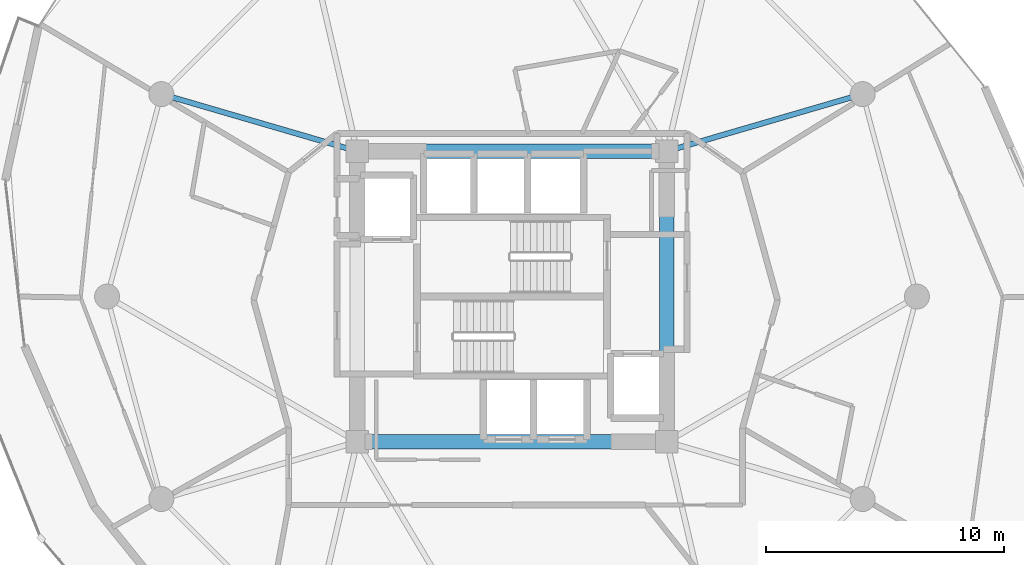
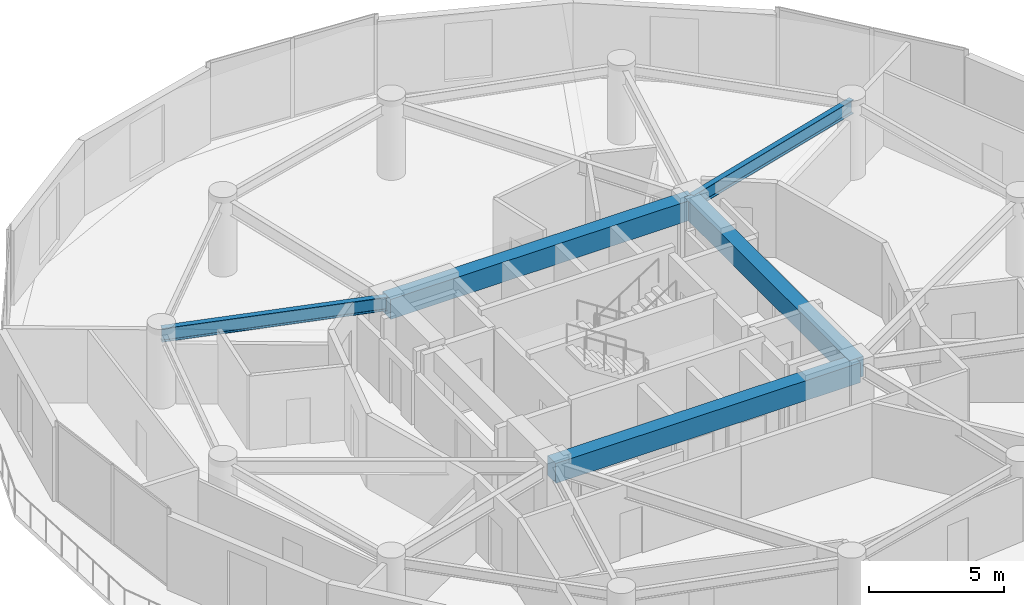
# One storey, part 8 of 21: 5 beams.
"""IFC4 building model written with IfcOpenShell, lengths in metres."""

from ifc_helpers import new_model, si_unit, direction, frame, origin, origin_2d, place, context, subcontext, project, spatial, rectangle, i_section, extrude, material, material_profile, profile_set, type_object, element, save


model = new_model("IFC4")

# Units and contexts
model_context = context("Model", 3, precision=1e-05, world=origin(), true_north=direction((0.0, 1.0)))
body_context = subcontext(model_context, "Body", "Model", "MODEL_VIEW")
ifc_project = project(units=[si_unit("LENGTHUNIT", "METRE"), si_unit("AREAUNIT", "SQUARE_METRE"), si_unit("VOLUMEUNIT", "CUBIC_METRE"), si_unit("PLANEANGLEUNIT", "RADIAN"), si_unit("MASSUNIT", "GRAM", prefix="KILO")], contexts=[model_context])

# Site, building, storey
site_placement = place(None, origin())
site = spatial("IfcSite", under=ifc_project, at=site_placement, CompositionType="ELEMENT")
building_placement = place(site_placement, origin())
building = spatial("IfcBuilding", under=site, at=building_placement, Name="Solvirekh Grand Hotel", CompositionType="ELEMENT")
storey_placement = place(building_placement, frame((0.0, 0.0, 142.199951171875)))
storey = spatial("IfcBuildingStorey", under=building, at=storey_placement, Name="L36", CompositionType="ELEMENT", Elevation=142.199951171875)

# Beams
ifc_material_1 = material(Name="Concrete C50/60", Category="concrete")
ifc_material_profile_1 = material_profile(ifc_material_1, rectangle(XDim=0.60009765625, YDim=0.89990234375, at=origin_2d()), Name="RC BEAM 600X900")
ifc_profile_set_1 = profile_set([ifc_material_profile_1], Name="Concrete C50/60")
beam_type_1 = type_object("IfcBeamType", Name="Beam_Core_RC900", PredefinedType="BEAM", material=ifc_profile_set_1)
beam_1_placement = place(storey_placement, frame((-6.5, -6.10009765625, 2.900146484375), z_axis=(1.0, 0.0, 0.0), x_axis=(0.0, 1.0, 0.0)))
element("IfcBeam", 1, at=beam_1_placement, inside=storey, type_object=beam_type_1, Name="L36 core coupling ring beam 1", PredefinedType="BEAM", context=body_context, shape_type="SweptSolid", body=[
    extrude(rectangle(XDim=0.60009765625, YDim=0.89990234375, at=origin_2d()), origin(), (0.0, 0.0, 1.0), 13.0),
])
beam_2_placement = place(storey_placement, frame((6.5, -6.10009765625, 2.900146484375), z_axis=(0.0, 1.0, 0.0), x_axis=(-1.0, 0.0, 0.0)))
element("IfcBeam", 2, at=beam_2_placement, inside=storey, type_object=beam_type_1, Name="L36 core coupling ring beam 2", PredefinedType="BEAM", context=body_context, shape_type="SweptSolid", body=[
    extrude(rectangle(XDim=0.60009765625, YDim=0.89990234375, at=origin_2d()), origin(), (0.0, 0.0, 1.0), 12.2001953125),
])
beam_3_placement = place(storey_placement, frame((6.5, 6.10009765625, 2.900146484375), z_axis=(-1.0, 0.0, 0.0), x_axis=(0.0, -1.0, 0.0)))
element("IfcBeam", 3, at=beam_3_placement, inside=storey, type_object=beam_type_1, Name="L36 core coupling ring beam 3", PredefinedType="BEAM", context=body_context, shape_type="SweptSolid", body=[
    extrude(rectangle(XDim=0.60009765625, YDim=0.89990234375, at=origin_2d()), origin(), (0.0, 0.0, 1.0), 13.0),
])
ifc_material_2 = material(Name="Steel S355", Category="steel")
ifc_material_profile_2 = material_profile(ifc_material_2, i_section(OverallWidth=0.22802734375, OverallDepth=0.616943359375, WebThickness=0.012939453125, FlangeThickness=0.02001953125, FilletRadius=0.014892578125, at=origin_2d()), Name="W610X140")
ifc_profile_set_2 = profile_set([ifc_material_profile_2], Name="Steel S355")
beam_type_2 = type_object("IfcBeamType", Name="Beam_Radial_W610", PredefinedType="BEAM", material=ifc_profile_set_2)
for number, where, z_axis, x_axis, name in (
    (4, (6.5, 6.10009765625, 3.0419921875), (0.959942195467, 0.28019811092, 0.0), (-0.28019811092, 0.959942195467, 0.0), "L36 radial floor beam R02"),
    (5, (-6.5, 6.10009765625, 3.0419921875), (-0.959942195467, 0.28019811092, 0.0), (-0.28019811092, -0.959942195467, 0.0), "L36 radial floor beam R06"),
):
    element("IfcBeam", number, at=place(storey_placement, frame(where, z_axis=z_axis, x_axis=x_axis)), inside=storey, type_object=beam_type_2, Name=name, PredefinedType="BEAM", context=body_context, shape_type="SweptSolid", body=[
        extrude(i_section(OverallWidth=0.22802734375, OverallDepth=0.616943359375, WebThickness=0.012939453125, FlangeThickness=0.02001953125, FilletRadius=0.014892578125, at=origin_2d()), origin(), (0.0, 0.0, 1.0), 8.56494140625),
    ])

save(model, "model.ifc")
